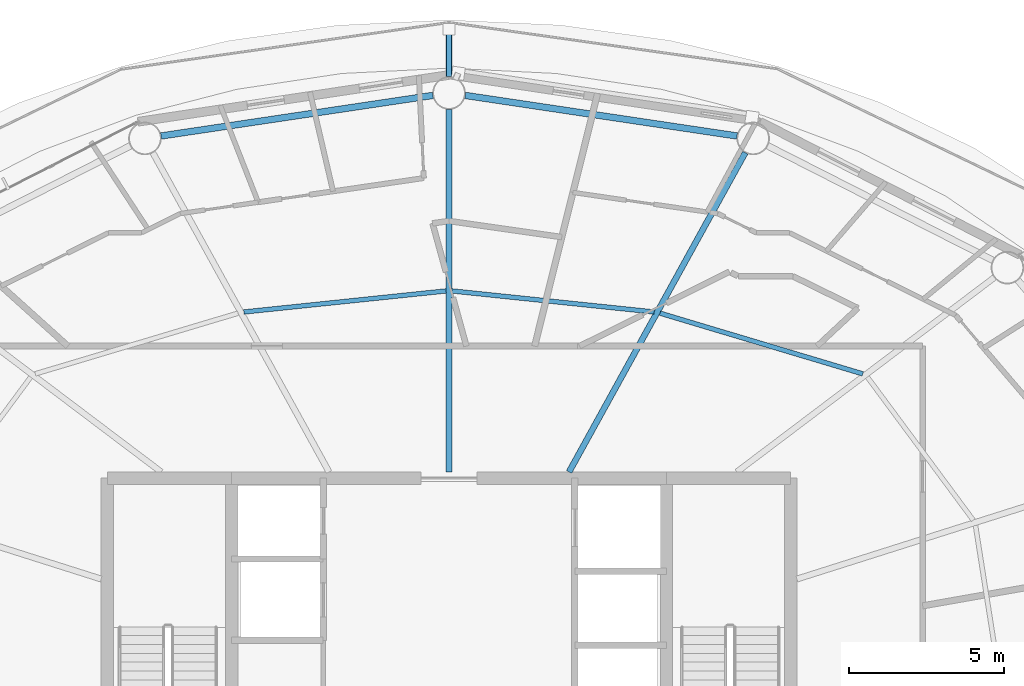
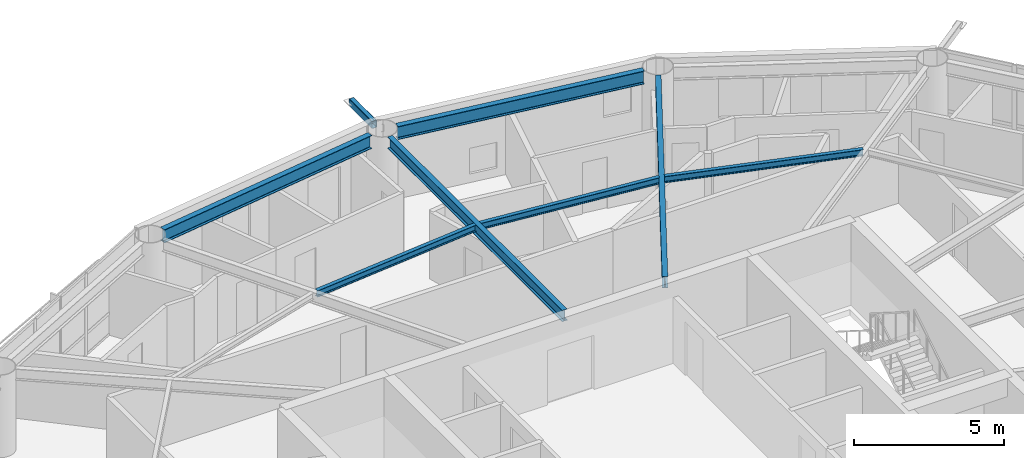
# One storey, part 10 of 23: 7 beams, 1 member.
"""IFC4 building model written with IfcOpenShell, lengths in metres."""

from ifc_helpers import new_model, si_unit, direction, frame, origin, origin_2d, place, context, subcontext, project, spatial, hollow_rectangle, i_section, extrude, material, material_profile, profile_set, type_object, element, save


model = new_model("IFC4")

# Units and contexts
model_context = context("Model", 3, precision=1e-05, world=origin(), true_north=direction((0.0, 1.0)))
body_context = subcontext(model_context, "Body", "Model", "MODEL_VIEW")
ifc_project = project(units=[si_unit("LENGTHUNIT", "METRE"), si_unit("AREAUNIT", "SQUARE_METRE"), si_unit("VOLUMEUNIT", "CUBIC_METRE"), si_unit("PLANEANGLEUNIT", "RADIAN"), si_unit("MASSUNIT", "GRAM", prefix="KILO")], contexts=[model_context])

# Site, building, storey
site_placement = place(None, origin())
site = spatial("IfcSite", under=ifc_project, at=site_placement, CompositionType="ELEMENT")
building_placement = place(site_placement, origin())
building = spatial("IfcBuilding", under=site, at=building_placement, Name="Sarneth Arch Tower", CompositionType="ELEMENT")
storey_placement = place(building_placement, frame((0.0, 0.0, 249.60009765625)))
storey = spatial("IfcBuildingStorey", under=building, at=storey_placement, Name="L64", CompositionType="ELEMENT", Elevation=249.60009765625)

# Beams
ifc_material_1 = material(Name="Steel S355", Category="steel")
ifc_material_profile_1 = material_profile(ifc_material_1, i_section(OverallWidth=0.14794921875, OverallDepth=0.26611328125, WebThickness=0.007568359375, FlangeThickness=0.012939453125, FilletRadius=0.012939453125, at=origin_2d()), Name="W250x44.8")
ifc_profile_set_1 = profile_set([ifc_material_profile_1], Name="Steel S355")
beam_type_1 = type_object("IfcBeamType", Name="BM-JOIST-250", PredefinedType="JOIST", material=ifc_profile_set_1)
beam_1_placement = place(storey_placement, frame((61.320068359375, 52.157470703125, 3.226806640625), z_axis=(-0.957984908347, 0.286818610589, 0.0), x_axis=(-0.286818610589, -0.957984908347, 0.0)))
element("IfcBeam", 1, at=beam_1_placement, inside=storey, type_object=beam_type_1, Name="L64 Secondary floor joist 03", PredefinedType="JOIST", context=body_context, shape_type="SweptSolid", body=[
    extrude(i_section(OverallWidth=0.14794921875, OverallDepth=0.26611328125, WebThickness=0.007568359375, FlangeThickness=0.012939453125, FilletRadius=0.012939453125, at=origin_2d()), origin(), (0.0, 0.0, 1.0), 6.81396484375),
])
for number, where, z_axis, x_axis, name in (
    (2, (54.60498046875, 54.1494140625, 3.226806640625), (-0.994616086198, 0.103628379682, 0.0), (-0.103628379682, -0.994616086198, 0.0), "L64 Secondary floor joist 04"),
    (3, (47.904541015625, 54.82763671875, 3.226806640625), (-0.994616086198, -0.103628379682, 0.0), (0.103628379682, -0.994616086198, 0.0), "L64 Secondary floor joist 05"),
):
    element("IfcBeam", number, at=place(storey_placement, frame(where, z_axis=z_axis, x_axis=x_axis)), inside=storey, type_object=beam_type_1, Name=name, PredefinedType="JOIST", context=body_context, shape_type="SweptSolid", body=[
        extrude(i_section(OverallWidth=0.14794921875, OverallDepth=0.26611328125, WebThickness=0.007568359375, FlangeThickness=0.012939453125, FilletRadius=0.012939453125, at=origin_2d()), origin(), (0.0, 0.0, 1.0), 6.544677734375),
    ])
ifc_material_2 = material(Name="Steel S355", Category="steel")
ifc_material_profile_2 = material_profile(ifc_material_2, i_section(OverallWidth=0.19189453125, OverallDepth=0.462890625, WebThickness=0.010498046875, FlangeThickness=0.017578125, FilletRadius=0.01806640625, at=origin_2d()), Name="W460x89")
ifc_profile_set_2 = profile_set([ifc_material_profile_2], Name="Steel S355")
beam_type_2 = type_object("IfcBeamType", Name="BM-RAD-460B", PredefinedType="BEAM", material=ifc_profile_set_2)
beam_2_placement = place(storey_placement, frame((51.86376953125, 49.0, 3.12841796875), z_axis=(0.483225760768, 0.875495781903, 0.0), x_axis=(-0.875495781903, 0.483225760768, 0.0)))
element("IfcBeam", 4, at=beam_2_placement, inside=storey, type_object=beam_type_2, Name="L64 Radial floor girder 04", PredefinedType="BEAM", context=body_context, shape_type="SweptSolid", body=[
    extrude(i_section(OverallWidth=0.19189453125, OverallDepth=0.462890625, WebThickness=0.010498046875, FlangeThickness=0.017578125, FilletRadius=0.01806640625, at=origin_2d()), origin(), (0.0, 0.0, 1.0), 11.740478515625),
])
beam_3_placement = place(storey_placement, frame((48.0, 49.0, 3.12841796875), z_axis=(0.0, 1.0, 0.0), x_axis=(-1.0, 0.0, 0.0)))
element("IfcBeam", 5, at=beam_3_placement, inside=storey, type_object=beam_type_2, Name="L64 Radial floor girder 05", PredefinedType="BEAM", context=body_context, shape_type="SweptSolid", body=[
    extrude(i_section(OverallWidth=0.19189453125, OverallDepth=0.462890625, WebThickness=0.010498046875, FlangeThickness=0.017578125, FilletRadius=0.01806640625, at=origin_2d()), origin(), (0.0, 0.0, 1.0), 11.675048828125),
])
ifc_material_3 = material(Name="Steel S355", Category="steel")
ifc_material_profile_3 = material_profile(ifc_material_3, i_section(OverallWidth=0.2109375, OverallDepth=0.5390625, WebThickness=0.01171875, FlangeThickness=0.018798828125, FilletRadius=0.01806640625, at=origin_2d()), Name="W530x109")
ifc_profile_set_3 = profile_set([ifc_material_profile_3], Name="Steel S355")
beam_type_3 = type_object("IfcBeamType", Name="BM-RAD-530B", PredefinedType="BEAM", material=ifc_profile_set_3)
for number, where, z_axis, x_axis, name in (
    (6, (57.271484375, 59.81591796875, 3.09033203125), (-0.989038715098, 0.147656425652, 0.0), (-0.147656425652, -0.989038715098, 0.0), "L64 Perimeter spandrel beam 04"),
    (7, (47.480712890625, 61.12255859375, 3.09033203125), (-0.989038715098, -0.147656425652, 0.0), (0.147656425652, -0.989038715098, 0.0), "L64 Perimeter spandrel beam 05"),
):
    element("IfcBeam", number, at=place(storey_placement, frame(where, z_axis=z_axis, x_axis=x_axis)), inside=storey, type_object=beam_type_3, Name=name, PredefinedType="BEAM", context=body_context, shape_type="SweptSolid", body=[
        extrude(i_section(OverallWidth=0.2109375, OverallDepth=0.5390625, WebThickness=0.01171875, FlangeThickness=0.018798828125, FilletRadius=0.01806640625, at=origin_2d()), origin(), (0.0, 0.0, 1.0), 8.84912109375),
    ])

# Member
ifc_material_4 = material(Name="Steel S355", Category="steel")
ifc_material_profile_4 = material_profile(ifc_material_4, hollow_rectangle(XDim=0.199951171875, YDim=0.300048828125, WallThickness=0.012451171875, InnerFilletRadius=0.018798828125, OuterFilletRadius=0.03125, at=origin_2d()), Name="RHS300x200x12.5")
ifc_profile_set_4 = profile_set([ifc_material_profile_4], Name="Steel S355")
member_type = type_object("IfcMemberType", Name="MEM-CANT-STRUT", PredefinedType="STRUT", material=ifc_profile_set_4)
member_placement = place(storey_placement, frame((48.0, 61.72509765625, 3.199951171875), z_axis=(0.0, 1.0, 0.0), x_axis=(-1.0, 0.0, 0.0)))
element("IfcMember", 8, at=member_placement, inside=storey, type_object=member_type, Name="L64 Balcony cantilever bracket 05", PredefinedType="STRUT", context=body_context, shape_type="SweptSolid", body=[
    extrude(hollow_rectangle(XDim=0.199951171875, YDim=0.300048828125, WallThickness=0.012451171875, InnerFilletRadius=0.018798828125, OuterFilletRadius=0.03125, at=origin_2d()), origin(), (0.0, 0.0, 1.0), 1.52490234375),
])

save(model, "model.ifc")
